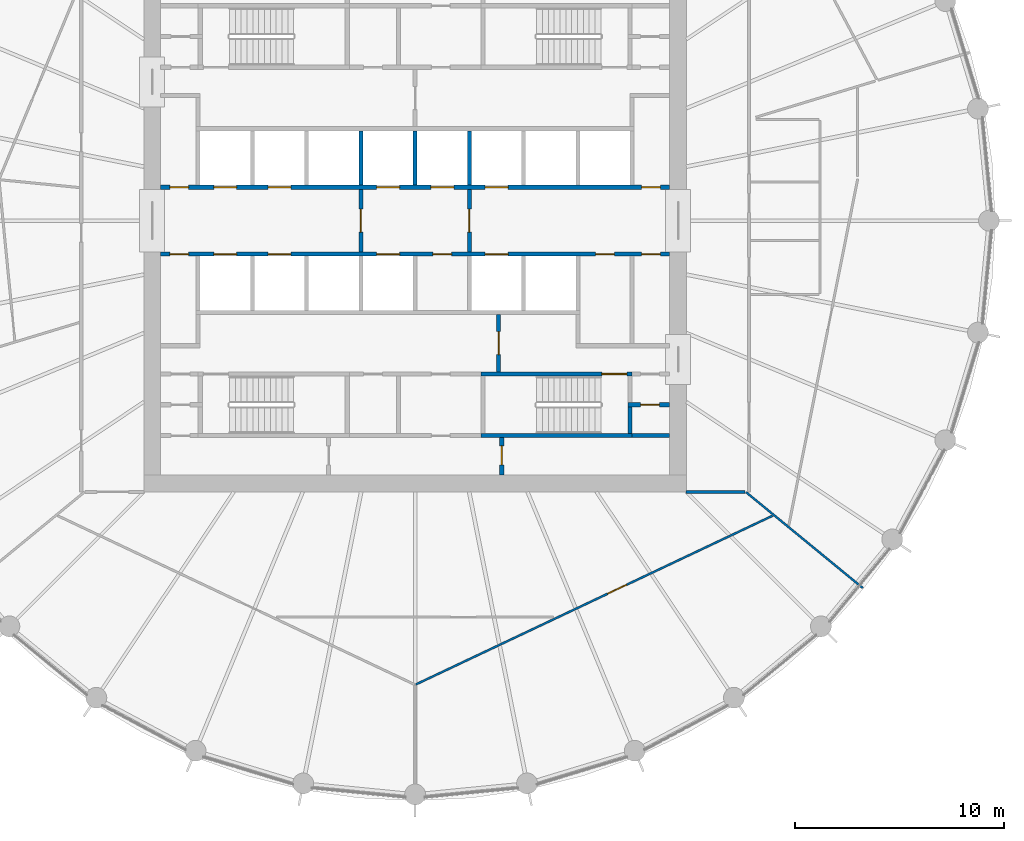
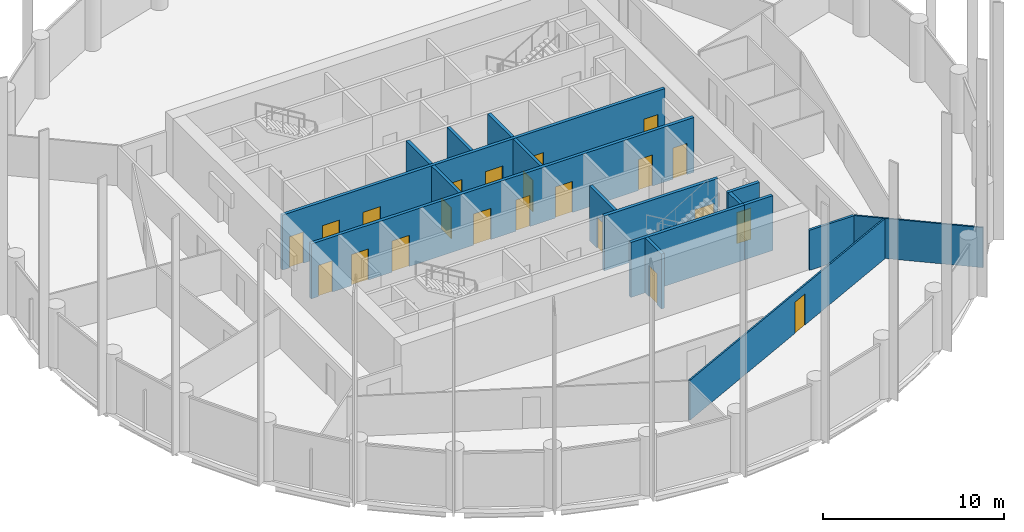
# One storey, part 5 of 9: 22 doors, 17 walls, 22 openings.
"""IFC4 building model written with IfcOpenShell, lengths in metres."""

from ifc_helpers import new_model, si_unit, direction, frame, frame_2d, origin, place, context, subcontext, project, spatial, polyline, rectangle, outline, extrude, material, layer, layer_set, type_object, element, fill, save


model = new_model("IFC4")

# Units and contexts
model_context = context("Model", 3, precision=1e-05, world=origin(), true_north=direction((0.0, 1.0)))
body_context = subcontext(model_context, "Body", "Model", "MODEL_VIEW")
ifc_project = project(units=[si_unit("LENGTHUNIT", "METRE"), si_unit("AREAUNIT", "SQUARE_METRE"), si_unit("VOLUMEUNIT", "CUBIC_METRE"), si_unit("PLANEANGLEUNIT", "RADIAN"), si_unit("MASSUNIT", "GRAM", prefix="KILO")], contexts=[model_context])

# Site, building, storey
site_placement = place(None, origin())
site = spatial("IfcSite", under=ifc_project, at=site_placement, CompositionType="ELEMENT")
building_placement = place(site_placement, origin())
building = spatial("IfcBuilding", under=site, at=building_placement, Name="Corvane Civic Tower", CompositionType="ELEMENT")
storey_placement = place(building_placement, frame((0.0, 0.0, 217.5)))
storey = spatial("IfcBuildingStorey", under=building, at=storey_placement, Name="L51", CompositionType="ELEMENT", Elevation=217.5)

# Wall, opening, door
ifc_material_1 = material(Name="Concrete C30/37", Category="concrete")
ifc_layer_1 = layer(ifc_material_1, 0.199951171875)
ifc_layer_set_1 = layer_set([ifc_layer_1], Name="Concrete C30/37")
wall_type_1 = type_object("IfcWallType", Name="CR-WALL-200", PredefinedType="PARTITIONING", material=ifc_layer_set_1)
wall_1_placement = place(storey_placement, frame((10.199951171875, -8.824951171875, 0.0), z_axis=(0.0, 0.0, 1.0), x_axis=(1.0, 0.0, 0.0)))
wall_1 = element("IfcWall", 1, at=wall_1_placement, inside=storey, type_object=wall_type_1, Name="L51 partition wall", PredefinedType="PARTITIONING", context=body_context, shape_type="SweptSolid", body=[
    extrude(rectangle(XDim=2.0, YDim=0.199951171875, at=frame_2d((1.0, 0.0))), origin(), (0.0, 0.0, 1.0), 3.699951171875),
])
opening_1_placement = place(wall_1_placement, frame((0.60009765625, 0.0, 0.0)))
opening_1 = element("IfcOpeningElement", 2, at=opening_1_placement, cuts=wall_1, Name="Opening L51.C25", PredefinedType="OPENING", context=body_context, shape_type="SweptSolid", body=[
    extrude(rectangle(XDim=0.89990234375, YDim=2.10009765625, at=frame_2d((0.449951171875, 1.050048828125))), frame((0.0, 0.10986328125, 0.0), z_axis=(0.0, -1.0, 0.0), x_axis=(1.0, 0.0, 0.0)), (0.0, 0.0, 1.0), 0.219970703125),
])
ifc_material_2 = material(Name="Steel fire door leaf", Category="steel")
door_type_1 = type_object("IfcDoorType", Name="CR-DOOR-900", OperationType="SINGLE_SWING_LEFT", PredefinedType="DOOR", material=ifc_material_2)
door_1_placement = place(opening_1_placement, origin())
door_1 = element("IfcDoor", 3, at=door_1_placement, inside=storey, type_object=door_type_1, Name="L51 door", OperationType="SINGLE_SWING_LEFT", OverallHeight=2.10009765625, OverallWidth=0.89990234375, PredefinedType="DOOR", context=body_context, shape_type="SweptSolid", body=[
    extrude(rectangle(XDim=0.89990234375, YDim=2.10009765625, at=frame_2d((0.449951171875, 1.050048828125))), frame((0.0, 0.02490234375, 0.0), z_axis=(0.0, -1.0, 0.0), x_axis=(1.0, 0.0, 0.0)), (0.0, 0.0, 1.0), 0.050048828125),
])
fill(opening_1, door_1)

# Wall, openings, doors
wall_2_placement = place(storey_placement, frame((-12.199951171875, -1.60009765625, 0.0), z_axis=(0.0, 0.0, 1.0), x_axis=(1.0, 0.0, 0.0)))
wall_2 = element("IfcWall", 4, at=wall_2_placement, inside=storey, type_object=wall_type_1, Name="L51 lift shaft wall", PredefinedType="PARTITIONING", context=body_context, shape_type="SweptSolid", body=[
    extrude(rectangle(XDim=24.39990234375, YDim=0.199951171875, at=frame_2d((12.199951171875, 0.0))), origin(), (0.0, 0.0, 1.0), 3.699951171875),
])
opening_2_placement = place(wall_2_placement, frame((2.550048828125, 0.0, 0.0)))
opening_2 = element("IfcOpeningElement", 5, at=opening_2_placement, cuts=wall_2, Name="Opening LD", PredefinedType="OPENING", context=body_context, shape_type="SweptSolid", body=[
    extrude(rectangle(XDim=1.10009765625, YDim=2.10009765625, at=frame_2d((0.550048828125, 1.050048828125))), frame((0.0, 0.10986328125, 0.0), z_axis=(0.0, -1.0, 0.0), x_axis=(1.0, 0.0, 0.0)), (0.0, 0.0, 1.0), 0.219970703125),
])
opening_3_placement = place(wall_2_placement, frame((5.14990234375, 0.0, 0.0)))
opening_3 = element("IfcOpeningElement", 6, at=opening_3_placement, cuts=wall_2, Name="Opening LD", PredefinedType="OPENING", context=body_context, shape_type="SweptSolid", body=[
    extrude(rectangle(XDim=1.10009765625, YDim=2.10009765625, at=frame_2d((0.550048828125, 1.050048828125))), frame((0.0, 0.10986328125, 0.0), z_axis=(0.0, -1.0, 0.0), x_axis=(1.0, 0.0, 0.0)), (0.0, 0.0, 1.0), 0.219970703125),
])
opening_4_placement = place(wall_2_placement, frame((10.35009765625, 0.0, 0.0)))
opening_4 = element("IfcOpeningElement", 7, at=opening_4_placement, cuts=wall_2, Name="Opening LD", PredefinedType="OPENING", context=body_context, shape_type="SweptSolid", body=[
    extrude(rectangle(XDim=1.10009765625, YDim=2.10009765625, at=frame_2d((0.550048828125, 1.050048828125))), frame((0.0, 0.10986328125, 0.0), z_axis=(0.0, -1.0, 0.0), x_axis=(1.0, 0.0, 0.0)), (0.0, 0.0, 1.0), 0.219970703125),
])
opening_5_placement = place(wall_2_placement, frame((13.050048828125, 0.0, 0.0)))
opening_5 = element("IfcOpeningElement", 8, at=opening_5_placement, cuts=wall_2, Name="Opening L51.C03", PredefinedType="OPENING", context=body_context, shape_type="SweptSolid", body=[
    extrude(rectangle(XDim=0.89990234375, YDim=2.10009765625, at=frame_2d((0.449951171875, 1.050048828125))), frame((0.0, 0.10986328125, 0.0), z_axis=(0.0, -1.0, 0.0), x_axis=(1.0, 0.0, 0.0)), (0.0, 0.0, 1.0), 0.219970703125),
])
opening_6_placement = place(wall_2_placement, frame((15.550048828125, 0.0, 0.0)))
opening_6 = element("IfcOpeningElement", 9, at=opening_6_placement, cuts=wall_2, Name="Opening LD", PredefinedType="OPENING", context=body_context, shape_type="SweptSolid", body=[
    extrude(rectangle(XDim=1.10009765625, YDim=2.10009765625, at=frame_2d((0.550048828125, 1.050048828125))), frame((0.0, 0.10986328125, 0.0), z_axis=(0.0, -1.0, 0.0), x_axis=(1.0, 0.0, 0.0)), (0.0, 0.0, 1.0), 0.219970703125),
])
opening_7_placement = place(wall_2_placement, frame((0.449951171875, 0.0, 0.0)))
opening_7 = element("IfcOpeningElement", 10, at=opening_7_placement, cuts=wall_2, Name="Opening L51.C04", PredefinedType="OPENING", context=body_context, shape_type="SweptSolid", body=[
    extrude(rectangle(XDim=0.89990234375, YDim=2.10009765625, at=frame_2d((0.449951171875, 1.050048828125))), frame((0.0, 0.10986328125, 0.0), z_axis=(0.0, -1.0, 0.0), x_axis=(1.0, 0.0, 0.0)), (0.0, 0.0, 1.0), 0.219970703125),
])
opening_8_placement = place(wall_2_placement, frame((20.85009765625, 0.0, 0.0)))
opening_8 = element("IfcOpeningElement", 11, at=opening_8_placement, cuts=wall_2, Name="Opening L51.C05", PredefinedType="OPENING", context=body_context, shape_type="SweptSolid", body=[
    extrude(rectangle(XDim=0.89990234375, YDim=2.10009765625, at=frame_2d((0.449951171875, 1.050048828125))), frame((0.0, 0.10986328125, 0.0), z_axis=(0.0, -1.0, 0.0), x_axis=(1.0, 0.0, 0.0)), (0.0, 0.0, 1.0), 0.219970703125),
])
opening_9_placement = place(wall_2_placement, frame((23.050048828125, 0.0, 0.0)))
opening_9 = element("IfcOpeningElement", 12, at=opening_9_placement, cuts=wall_2, Name="Opening L51.C06", PredefinedType="OPENING", context=body_context, shape_type="SweptSolid", body=[
    extrude(rectangle(XDim=0.89990234375, YDim=2.10009765625, at=frame_2d((0.449951171875, 1.050048828125))), frame((0.0, 0.10986328125, 0.0), z_axis=(0.0, -1.0, 0.0), x_axis=(1.0, 0.0, 0.0)), (0.0, 0.0, 1.0), 0.219970703125),
])
door_2_placement = place(opening_5_placement, origin())
door_2 = element("IfcDoor", 13, at=door_2_placement, inside=storey, type_object=door_type_1, Name="L51 door", OperationType="SINGLE_SWING_LEFT", OverallHeight=2.10009765625, OverallWidth=0.89990234375, PredefinedType="DOOR", context=body_context, shape_type="SweptSolid", body=[
    extrude(rectangle(XDim=0.89990234375, YDim=2.10009765625, at=frame_2d((0.449951171875, 1.050048828125))), frame((0.0, 0.02490234375, 0.0), z_axis=(0.0, -1.0, 0.0), x_axis=(1.0, 0.0, 0.0)), (0.0, 0.0, 1.0), 0.050048828125),
])
fill(opening_5, door_2)
door_3_placement = place(opening_7_placement, origin())
door_3 = element("IfcDoor", 14, at=door_3_placement, inside=storey, type_object=door_type_1, Name="L51 door", OperationType="SINGLE_SWING_LEFT", OverallHeight=2.10009765625, OverallWidth=0.89990234375, PredefinedType="DOOR", context=body_context, shape_type="SweptSolid", body=[
    extrude(rectangle(XDim=0.89990234375, YDim=2.10009765625, at=frame_2d((0.449951171875, 1.050048828125))), frame((0.0, 0.02490234375, 0.0), z_axis=(0.0, -1.0, 0.0), x_axis=(1.0, 0.0, 0.0)), (0.0, 0.0, 1.0), 0.050048828125),
])
fill(opening_7, door_3)
door_4_placement = place(opening_8_placement, origin())
door_4 = element("IfcDoor", 15, at=door_4_placement, inside=storey, type_object=door_type_1, Name="L51 door", OperationType="SINGLE_SWING_LEFT", OverallHeight=2.10009765625, OverallWidth=0.89990234375, PredefinedType="DOOR", context=body_context, shape_type="SweptSolid", body=[
    extrude(rectangle(XDim=0.89990234375, YDim=2.10009765625, at=frame_2d((0.449951171875, 1.050048828125))), frame((0.0, 0.02490234375, 0.0), z_axis=(0.0, -1.0, 0.0), x_axis=(1.0, 0.0, 0.0)), (0.0, 0.0, 1.0), 0.050048828125),
])
fill(opening_8, door_4)
door_5_placement = place(opening_9_placement, origin())
door_5 = element("IfcDoor", 16, at=door_5_placement, inside=storey, type_object=door_type_1, Name="L51 door", OperationType="SINGLE_SWING_LEFT", OverallHeight=2.10009765625, OverallWidth=0.89990234375, PredefinedType="DOOR", context=body_context, shape_type="SweptSolid", body=[
    extrude(rectangle(XDim=0.89990234375, YDim=2.10009765625, at=frame_2d((0.449951171875, 1.050048828125))), frame((0.0, 0.02490234375, 0.0), z_axis=(0.0, -1.0, 0.0), x_axis=(1.0, 0.0, 0.0)), (0.0, 0.0, 1.0), 0.050048828125),
])
fill(opening_9, door_5)
ifc_material_3 = material(Name="Stainless steel 316 door leaves", Category="steel")
door_type_2 = type_object("IfcDoorType", Name="LD", OperationType="DOUBLE_DOOR_SLIDING", PredefinedType="DOOR", material=ifc_material_3)
door_6_placement = place(opening_2_placement, origin())
door_6 = element("IfcDoor", 17, at=door_6_placement, inside=storey, type_object=door_type_2, Name="L51 landing door", OperationType="DOUBLE_DOOR_SLIDING", OverallHeight=2.10009765625, OverallWidth=1.10009765625, PredefinedType="DOOR", context=body_context, shape_type="SweptSolid", body=[
    extrude(rectangle(XDim=1.10009765625, YDim=2.10009765625, at=frame_2d((0.550048828125, 1.050048828125))), frame((0.0, 0.02490234375, 0.0), z_axis=(0.0, -1.0, 0.0), x_axis=(1.0, 0.0, 0.0)), (0.0, 0.0, 1.0), 0.050048828125),
])
fill(opening_2, door_6)
door_7_placement = place(opening_3_placement, origin())
door_7 = element("IfcDoor", 18, at=door_7_placement, inside=storey, type_object=door_type_2, Name="L51 landing door", OperationType="DOUBLE_DOOR_SLIDING", OverallHeight=2.10009765625, OverallWidth=1.10009765625, PredefinedType="DOOR", context=body_context, shape_type="SweptSolid", body=[
    extrude(rectangle(XDim=1.10009765625, YDim=2.10009765625, at=frame_2d((0.550048828125, 1.050048828125))), frame((0.0, 0.02490234375, 0.0), z_axis=(0.0, -1.0, 0.0), x_axis=(1.0, 0.0, 0.0)), (0.0, 0.0, 1.0), 0.050048828125),
])
fill(opening_3, door_7)
door_8_placement = place(opening_4_placement, origin())
door_8 = element("IfcDoor", 19, at=door_8_placement, inside=storey, type_object=door_type_2, Name="L51 landing door", OperationType="DOUBLE_DOOR_SLIDING", OverallHeight=2.10009765625, OverallWidth=1.10009765625, PredefinedType="DOOR", context=body_context, shape_type="SweptSolid", body=[
    extrude(rectangle(XDim=1.10009765625, YDim=2.10009765625, at=frame_2d((0.550048828125, 1.050048828125))), frame((0.0, 0.02490234375, 0.0), z_axis=(0.0, -1.0, 0.0), x_axis=(1.0, 0.0, 0.0)), (0.0, 0.0, 1.0), 0.050048828125),
])
fill(opening_4, door_8)
door_9_placement = place(opening_6_placement, origin())
door_9 = element("IfcDoor", 20, at=door_9_placement, inside=storey, type_object=door_type_2, Name="L51 landing door", OperationType="DOUBLE_DOOR_SLIDING", OverallHeight=2.10009765625, OverallWidth=1.10009765625, PredefinedType="DOOR", context=body_context, shape_type="SweptSolid", body=[
    extrude(rectangle(XDim=1.10009765625, YDim=2.10009765625, at=frame_2d((0.550048828125, 1.050048828125))), frame((0.0, 0.02490234375, 0.0), z_axis=(0.0, -1.0, 0.0), x_axis=(1.0, 0.0, 0.0)), (0.0, 0.0, 1.0), 0.050048828125),
])
fill(opening_6, door_9)

wall_3_placement = place(storey_placement, frame((-12.199951171875, 1.60009765625, 0.0), z_axis=(0.0, 0.0, 1.0), x_axis=(1.0, 0.0, 0.0)))
wall_3 = element("IfcWall", 21, at=wall_3_placement, inside=storey, type_object=wall_type_1, Name="L51 lift shaft wall", PredefinedType="PARTITIONING", context=body_context, shape_type="SweptSolid", body=[
    extrude(rectangle(XDim=24.39990234375, YDim=0.199951171875, at=frame_2d((12.199951171875, 0.0))), origin(), (0.0, 0.0, 1.0), 3.699951171875),
])
opening_10_placement = place(wall_3_placement, frame((2.550048828125, 0.0, 0.0)))
opening_10 = element("IfcOpeningElement", 22, at=opening_10_placement, cuts=wall_3, Name="Opening LD", PredefinedType="OPENING", context=body_context, shape_type="SweptSolid", body=[
    extrude(rectangle(XDim=1.10009765625, YDim=2.10009765625, at=frame_2d((0.550048828125, 1.050048828125))), frame((0.0, 0.10986328125, 0.0), z_axis=(0.0, -1.0, 0.0), x_axis=(1.0, 0.0, 0.0)), (0.0, 0.0, 1.0), 0.219970703125),
])
opening_11_placement = place(wall_3_placement, frame((5.14990234375, 0.0, 0.0)))
opening_11 = element("IfcOpeningElement", 23, at=opening_11_placement, cuts=wall_3, Name="Opening LD", PredefinedType="OPENING", context=body_context, shape_type="SweptSolid", body=[
    extrude(rectangle(XDim=1.10009765625, YDim=2.10009765625, at=frame_2d((0.550048828125, 1.050048828125))), frame((0.0, 0.10986328125, 0.0), z_axis=(0.0, -1.0, 0.0), x_axis=(1.0, 0.0, 0.0)), (0.0, 0.0, 1.0), 0.219970703125),
])
opening_12_placement = place(wall_3_placement, frame((10.35009765625, 0.0, 0.0)))
opening_12 = element("IfcOpeningElement", 24, at=opening_12_placement, cuts=wall_3, Name="Opening LD", PredefinedType="OPENING", context=body_context, shape_type="SweptSolid", body=[
    extrude(rectangle(XDim=1.10009765625, YDim=2.10009765625, at=frame_2d((0.550048828125, 1.050048828125))), frame((0.0, 0.10986328125, 0.0), z_axis=(0.0, -1.0, 0.0), x_axis=(1.0, 0.0, 0.0)), (0.0, 0.0, 1.0), 0.219970703125),
])
opening_13_placement = place(wall_3_placement, frame((12.949951171875, 0.0, 0.0)))
opening_13 = element("IfcOpeningElement", 25, at=opening_13_placement, cuts=wall_3, Name="Opening LD", PredefinedType="OPENING", context=body_context, shape_type="SweptSolid", body=[
    extrude(rectangle(XDim=1.10009765625, YDim=2.10009765625, at=frame_2d((0.550048828125, 1.050048828125))), frame((0.0, 0.10986328125, 0.0), z_axis=(0.0, -1.0, 0.0), x_axis=(1.0, 0.0, 0.0)), (0.0, 0.0, 1.0), 0.219970703125),
])
opening_14_placement = place(wall_3_placement, frame((15.550048828125, 0.0, 0.0)))
opening_14 = element("IfcOpeningElement", 26, at=opening_14_placement, cuts=wall_3, Name="Opening LD", PredefinedType="OPENING", context=body_context, shape_type="SweptSolid", body=[
    extrude(rectangle(XDim=1.10009765625, YDim=2.10009765625, at=frame_2d((0.550048828125, 1.050048828125))), frame((0.0, 0.10986328125, 0.0), z_axis=(0.0, -1.0, 0.0), x_axis=(1.0, 0.0, 0.0)), (0.0, 0.0, 1.0), 0.219970703125),
])
opening_15_placement = place(wall_3_placement, frame((0.449951171875, 0.0, 0.0)))
opening_15 = element("IfcOpeningElement", 27, at=opening_15_placement, cuts=wall_3, Name="Opening L51.C01", PredefinedType="OPENING", context=body_context, shape_type="SweptSolid", body=[
    extrude(rectangle(XDim=0.89990234375, YDim=2.10009765625, at=frame_2d((0.449951171875, 1.050048828125))), frame((0.0, 0.10986328125, 0.0), z_axis=(0.0, -1.0, 0.0), x_axis=(1.0, 0.0, 0.0)), (0.0, 0.0, 1.0), 0.219970703125),
])
opening_16_placement = place(wall_3_placement, frame((23.050048828125, 0.0, 0.0)))
opening_16 = element("IfcOpeningElement", 28, at=opening_16_placement, cuts=wall_3, Name="Opening L51.C02", PredefinedType="OPENING", context=body_context, shape_type="SweptSolid", body=[
    extrude(rectangle(XDim=0.89990234375, YDim=2.10009765625, at=frame_2d((0.449951171875, 1.050048828125))), frame((0.0, 0.10986328125, 0.0), z_axis=(0.0, -1.0, 0.0), x_axis=(1.0, 0.0, 0.0)), (0.0, 0.0, 1.0), 0.219970703125),
])
door_10_placement = place(opening_15_placement, origin())
door_10 = element("IfcDoor", 29, at=door_10_placement, inside=storey, type_object=door_type_1, Name="L51 door", OperationType="SINGLE_SWING_LEFT", OverallHeight=2.10009765625, OverallWidth=0.89990234375, PredefinedType="DOOR", context=body_context, shape_type="SweptSolid", body=[
    extrude(rectangle(XDim=0.89990234375, YDim=2.10009765625, at=frame_2d((0.449951171875, 1.050048828125))), frame((0.0, 0.02490234375, 0.0), z_axis=(0.0, -1.0, 0.0), x_axis=(1.0, 0.0, 0.0)), (0.0, 0.0, 1.0), 0.050048828125),
])
fill(opening_15, door_10)
door_11_placement = place(opening_16_placement, origin())
door_11 = element("IfcDoor", 30, at=door_11_placement, inside=storey, type_object=door_type_1, Name="L51 door", OperationType="SINGLE_SWING_LEFT", OverallHeight=2.10009765625, OverallWidth=0.89990234375, PredefinedType="DOOR", context=body_context, shape_type="SweptSolid", body=[
    extrude(rectangle(XDim=0.89990234375, YDim=2.10009765625, at=frame_2d((0.449951171875, 1.050048828125))), frame((0.0, 0.02490234375, 0.0), z_axis=(0.0, -1.0, 0.0), x_axis=(1.0, 0.0, 0.0)), (0.0, 0.0, 1.0), 0.050048828125),
])
fill(opening_16, door_11)
door_12_placement = place(opening_10_placement, origin())
door_12 = element("IfcDoor", 31, at=door_12_placement, inside=storey, type_object=door_type_2, Name="L51 landing door", OperationType="DOUBLE_DOOR_SLIDING", OverallHeight=2.10009765625, OverallWidth=1.10009765625, PredefinedType="DOOR", context=body_context, shape_type="SweptSolid", body=[
    extrude(rectangle(XDim=1.10009765625, YDim=2.10009765625, at=frame_2d((0.550048828125, 1.050048828125))), frame((0.0, 0.02490234375, 0.0), z_axis=(0.0, -1.0, 0.0), x_axis=(1.0, 0.0, 0.0)), (0.0, 0.0, 1.0), 0.050048828125),
])
fill(opening_10, door_12)
door_13_placement = place(opening_11_placement, origin())
door_13 = element("IfcDoor", 32, at=door_13_placement, inside=storey, type_object=door_type_2, Name="L51 landing door", OperationType="DOUBLE_DOOR_SLIDING", OverallHeight=2.10009765625, OverallWidth=1.10009765625, PredefinedType="DOOR", context=body_context, shape_type="SweptSolid", body=[
    extrude(rectangle(XDim=1.10009765625, YDim=2.10009765625, at=frame_2d((0.550048828125, 1.050048828125))), frame((0.0, 0.02490234375, 0.0), z_axis=(0.0, -1.0, 0.0), x_axis=(1.0, 0.0, 0.0)), (0.0, 0.0, 1.0), 0.050048828125),
])
fill(opening_11, door_13)
door_14_placement = place(opening_12_placement, origin())
door_14 = element("IfcDoor", 33, at=door_14_placement, inside=storey, type_object=door_type_2, Name="L51 landing door", OperationType="DOUBLE_DOOR_SLIDING", OverallHeight=2.10009765625, OverallWidth=1.10009765625, PredefinedType="DOOR", context=body_context, shape_type="SweptSolid", body=[
    extrude(rectangle(XDim=1.10009765625, YDim=2.10009765625, at=frame_2d((0.550048828125, 1.050048828125))), frame((0.0, 0.02490234375, 0.0), z_axis=(0.0, -1.0, 0.0), x_axis=(1.0, 0.0, 0.0)), (0.0, 0.0, 1.0), 0.050048828125),
])
fill(opening_12, door_14)
door_15_placement = place(opening_13_placement, origin())
door_15 = element("IfcDoor", 34, at=door_15_placement, inside=storey, type_object=door_type_2, Name="L51 landing door", OperationType="DOUBLE_DOOR_SLIDING", OverallHeight=2.10009765625, OverallWidth=1.10009765625, PredefinedType="DOOR", context=body_context, shape_type="SweptSolid", body=[
    extrude(rectangle(XDim=1.10009765625, YDim=2.10009765625, at=frame_2d((0.550048828125, 1.050048828125))), frame((0.0, 0.02490234375, 0.0), z_axis=(0.0, -1.0, 0.0), x_axis=(1.0, 0.0, 0.0)), (0.0, 0.0, 1.0), 0.050048828125),
])
fill(opening_13, door_15)
door_16_placement = place(opening_14_placement, origin())
door_16 = element("IfcDoor", 35, at=door_16_placement, inside=storey, type_object=door_type_2, Name="L51 landing door", OperationType="DOUBLE_DOOR_SLIDING", OverallHeight=2.10009765625, OverallWidth=1.10009765625, PredefinedType="DOOR", context=body_context, shape_type="SweptSolid", body=[
    extrude(rectangle(XDim=1.10009765625, YDim=2.10009765625, at=frame_2d((0.550048828125, 1.050048828125))), frame((0.0, 0.02490234375, 0.0), z_axis=(0.0, -1.0, 0.0), x_axis=(1.0, 0.0, 0.0)), (0.0, 0.0, 1.0), 0.050048828125),
])
fill(opening_14, door_16)

# Wall, opening, door
wall_4_placement = place(storey_placement, frame((-2.60009765625, -1.5, 0.0), z_axis=(0.0, 0.0, 1.0), x_axis=(0.0, 1.0, 0.0)))
wall_4 = element("IfcWall", 36, at=wall_4_placement, inside=storey, type_object=wall_type_1, Name="L51 firefighting lobby wall", PredefinedType="PARTITIONING", context=body_context, shape_type="SweptSolid", body=[
    extrude(rectangle(XDim=3.0, YDim=0.199951171875, at=frame_2d((1.5, 0.0))), origin(), (0.0, 0.0, 1.0), 3.699951171875),
])
opening_17_placement = place(wall_4_placement, frame((0.949951171875, 0.0, 0.0)))
opening_17 = element("IfcOpeningElement", 37, at=opening_17_placement, cuts=wall_4, Name="Opening L51.C30", PredefinedType="OPENING", context=body_context, shape_type="SweptSolid", body=[
    extrude(rectangle(XDim=1.10009765625, YDim=2.10009765625, at=frame_2d((0.550048828125, 1.050048828125))), frame((0.0, 0.10986328125, 0.0), z_axis=(0.0, -1.0, 0.0), x_axis=(1.0, 0.0, 0.0)), (0.0, 0.0, 1.0), 0.219970703125),
])
ifc_material_4 = material(Name="Steel fire door leaf", Category="steel")
door_type_3 = type_object("IfcDoorType", Name="CR-DOOR-FFL-1100", OperationType="SINGLE_SWING_LEFT", PredefinedType="DOOR", material=ifc_material_4)
door_17_placement = place(opening_17_placement, origin())
door_17 = element("IfcDoor", 38, at=door_17_placement, inside=storey, type_object=door_type_3, Name="L51 lobby door", OperationType="SINGLE_SWING_LEFT", OverallHeight=2.10009765625, OverallWidth=1.10009765625, PredefinedType="DOOR", context=body_context, shape_type="SweptSolid", body=[
    extrude(rectangle(XDim=1.10009765625, YDim=2.10009765625, at=frame_2d((0.550048828125, 1.050048828125))), frame((0.0, 0.02490234375, 0.0), z_axis=(0.0, -1.0, 0.0), x_axis=(1.0, 0.0, 0.0)), (0.0, 0.0, 1.0), 0.050048828125),
])
fill(opening_17, door_17)

wall_5_placement = place(storey_placement, frame((2.60009765625, -1.5, 0.0), z_axis=(0.0, 0.0, 1.0), x_axis=(0.0, 1.0, 0.0)))
wall_5 = element("IfcWall", 39, at=wall_5_placement, inside=storey, type_object=wall_type_1, Name="L51 firefighting lobby wall", PredefinedType="PARTITIONING", context=body_context, shape_type="SweptSolid", body=[
    extrude(rectangle(XDim=3.0, YDim=0.199951171875, at=frame_2d((1.5, 0.0))), origin(), (0.0, 0.0, 1.0), 3.699951171875),
])
opening_18_placement = place(wall_5_placement, frame((0.949951171875, 0.0, 0.0)))
opening_18 = element("IfcOpeningElement", 40, at=opening_18_placement, cuts=wall_5, Name="Opening L51.C31", PredefinedType="OPENING", context=body_context, shape_type="SweptSolid", body=[
    extrude(rectangle(XDim=1.10009765625, YDim=2.10009765625, at=frame_2d((0.550048828125, 1.050048828125))), frame((0.0, 0.10986328125, 0.0), z_axis=(0.0, -1.0, 0.0), x_axis=(1.0, 0.0, 0.0)), (0.0, 0.0, 1.0), 0.219970703125),
])
door_18_placement = place(opening_18_placement, origin())
door_18 = element("IfcDoor", 41, at=door_18_placement, inside=storey, type_object=door_type_3, Name="L51 lobby door", OperationType="SINGLE_SWING_LEFT", OverallHeight=2.10009765625, OverallWidth=1.10009765625, PredefinedType="DOOR", context=body_context, shape_type="SweptSolid", body=[
    extrude(rectangle(XDim=1.10009765625, YDim=2.10009765625, at=frame_2d((0.550048828125, 1.050048828125))), frame((0.0, 0.02490234375, 0.0), z_axis=(0.0, -1.0, 0.0), x_axis=(1.0, 0.0, 0.0)), (0.0, 0.0, 1.0), 0.050048828125),
])
fill(opening_18, door_18)

wall_6_placement = place(storey_placement, frame((4.0, -7.25, 0.0), z_axis=(0.0, 0.0, 1.0), x_axis=(0.0, 1.0, 0.0)))
wall_6 = element("IfcWall", 42, at=wall_6_placement, inside=storey, type_object=wall_type_1, Name="L51 core partition wall", PredefinedType="PARTITIONING", context=body_context, shape_type="SweptSolid", body=[
    extrude(rectangle(XDim=2.75, YDim=0.199951171875, at=frame_2d((1.375, 0.0))), origin(), (0.0, 0.0, 1.0), 3.699951171875),
])
opening_19_placement = place(wall_6_placement, frame((0.824951171875, 0.0, 0.0)))
opening_19 = element("IfcOpeningElement", 43, at=opening_19_placement, cuts=wall_6, Name="Opening L51.C33", PredefinedType="OPENING", context=body_context, shape_type="SweptSolid", body=[
    extrude(rectangle(XDim=1.10009765625, YDim=2.10009765625, at=frame_2d((0.550048828125, 1.050048828125))), frame((0.0, 0.10986328125, 0.0), z_axis=(0.0, -1.0, 0.0), x_axis=(1.0, 0.0, 0.0)), (0.0, 0.0, 1.0), 0.219970703125),
])
door_19_placement = place(opening_19_placement, origin())
door_19 = element("IfcDoor", 44, at=door_19_placement, inside=storey, type_object=door_type_3, Name="L51 lobby door", OperationType="SINGLE_SWING_LEFT", OverallHeight=2.10009765625, OverallWidth=1.10009765625, PredefinedType="DOOR", context=body_context, shape_type="SweptSolid", body=[
    extrude(rectangle(XDim=1.10009765625, YDim=2.10009765625, at=frame_2d((0.550048828125, 1.050048828125))), frame((0.0, 0.02490234375, 0.0), z_axis=(0.0, -1.0, 0.0), x_axis=(1.0, 0.0, 0.0)), (0.0, 0.0, 1.0), 0.050048828125),
])
fill(opening_19, door_19)

wall_7_placement = place(storey_placement, frame((4.14990234375, -12.199951171875, 0.0), z_axis=(0.0, 0.0, 1.0), x_axis=(0.0, 1.0, 0.0)))
wall_7 = element("IfcWall", 45, at=wall_7_placement, inside=storey, type_object=wall_type_1, Name="L51 partition wall", PredefinedType="PARTITIONING", context=body_context, shape_type="SweptSolid", body=[
    extrude(rectangle(XDim=1.800048828125, YDim=0.199951171875, at=frame_2d((0.89990234375, 0.0))), origin(), (0.0, 0.0, 1.0), 3.699951171875),
])
opening_20_placement = place(wall_7_placement, frame((0.5, 0.0, 0.0)))
opening_20 = element("IfcOpeningElement", 46, at=opening_20_placement, cuts=wall_7, Name="Opening L51.C16", PredefinedType="OPENING", context=body_context, shape_type="SweptSolid", body=[
    extrude(rectangle(XDim=0.89990234375, YDim=2.10009765625, at=frame_2d((0.449951171875, 1.050048828125))), frame((0.0, 0.10986328125, 0.0), z_axis=(0.0, -1.0, 0.0), x_axis=(1.0, 0.0, 0.0)), (0.0, 0.0, 1.0), 0.219970703125),
])
door_20_placement = place(opening_20_placement, origin())
door_20 = element("IfcDoor", 47, at=door_20_placement, inside=storey, type_object=door_type_1, Name="L51 door", OperationType="SINGLE_SWING_LEFT", OverallHeight=2.10009765625, OverallWidth=0.89990234375, PredefinedType="DOOR", context=body_context, shape_type="SweptSolid", body=[
    extrude(rectangle(XDim=0.89990234375, YDim=2.10009765625, at=frame_2d((0.449951171875, 1.050048828125))), frame((0.0, 0.02490234375, 0.0), z_axis=(0.0, -1.0, 0.0), x_axis=(1.0, 0.0, 0.0)), (0.0, 0.0, 1.0), 0.050048828125),
])
fill(opening_20, door_20)

# Walls
wall_8_placement = place(storey_placement, origin())
element("IfcWall", 48, at=wall_8_placement, inside=storey, type_object=wall_type_1, Name="L51 core partition wall", PredefinedType="PARTITIONING", context=body_context, shape_type="SweptSolid", body=[
    extrude(outline(polyline([(-2.5, 1.699951171875), (-2.699951171875, 1.699951171875), (-2.699951171875, 4.2998046875), (-2.5, 4.2998046875), (-2.5, 1.699951171875)])), origin(), (0.0, 0.0, 1.0), 3.699951171875),
])
wall_9_placement = place(storey_placement, origin())
element("IfcWall", 49, at=wall_9_placement, inside=storey, type_object=wall_type_1, Name="L51 core partition wall", PredefinedType="PARTITIONING", context=body_context, shape_type="SweptSolid", body=[
    extrude(outline(polyline([(2.699951171875, 1.699951171875), (2.5, 1.699951171875), (2.5, 4.2998046875), (2.699951171875, 4.2998046875), (2.699951171875, 1.699951171875)])), origin(), (0.0, 0.0, 1.0), 3.699951171875),
])
wall_10_placement = place(storey_placement, origin())
element("IfcWall", 50, at=wall_10_placement, inside=storey, type_object=wall_type_1, Name="L51 core partition wall", PredefinedType="PARTITIONING", context=body_context, shape_type="SweptSolid", body=[
    extrude(outline(polyline([(0.10009765625, 1.699951171875), (-0.10009765625, 1.699951171875), (-0.10009765625, 4.2998046875), (0.10009765625, 4.2998046875), (0.10009765625, 1.699951171875)])), origin(), (0.0, 0.0, 1.0), 3.699951171875),
])
wall_11_placement = place(storey_placement, origin())
element("IfcWall", 51, at=wall_11_placement, inside=storey, type_object=wall_type_1, Name="L51 core partition wall", PredefinedType="PARTITIONING", context=body_context, shape_type="SweptSolid", body=[
    extrude(outline(polyline([(10.39990234375, -10.39990234375), (10.39990234375, -10.199951171875), (12.199951171875, -10.199951171875), (12.199951171875, -10.39990234375), (10.39990234375, -10.39990234375)])), origin(), (0.0, 0.0, 1.0), 3.699951171875),
])

# Wall, opening, door
ifc_material_5 = material(Name="Plasterboard")
ifc_layer_2 = layer(ifc_material_5, 0.10009765625)
ifc_layer_set_2 = layer_set([ifc_layer_2], Name="Plasterboard")
wall_type_2 = type_object("IfcWallType", Name="Partition 100 plasterboard on studs", PredefinedType="PARTITIONING", material=ifc_layer_set_2)
wall_12_placement = place(storey_placement, frame((0.028564453125, -22.22998046875, 0.0), z_axis=(0.0, 0.0, 1.0), x_axis=(0.903991891137, 0.42754960035, 0.0)))
wall_12 = element("IfcWall", 52, at=wall_12_placement, inside=storey, type_object=wall_type_2, Name="Partition L51.003", PredefinedType="PARTITIONING", context=body_context, shape_type="SweptSolid", body=[
    extrude(rectangle(XDim=18.909912109375, YDim=0.10009765625, at=frame_2d((9.455078125, 0.0))), origin(), (0.0, 0.0, 1.0), 2.699951171875),
])
opening_21_placement = place(wall_12_placement, frame((10.17578125, 0.0, 0.0)))
opening_21 = element("IfcOpeningElement", 53, at=opening_21_placement, cuts=wall_12, Name="Opening L51.002", PredefinedType="OPENING", context=body_context, shape_type="SweptSolid", body=[
    extrude(rectangle(XDim=1.0, YDim=2.10009765625, at=frame_2d((0.5, 1.050048828125))), frame((0.0, 0.06005859375, 0.0), z_axis=(0.0, -1.0, 0.0), x_axis=(1.0, 0.0, 0.0)), (0.0, 0.0, 1.0), 0.1201171875),
])
ifc_material_6 = material(Name="Timber", Category="wood")
door_type_4 = type_object("IfcDoorType", Name="Single door 1000", OperationType="NOTDEFINED", PredefinedType="DOOR", material=ifc_material_6)
door_21_placement = place(opening_21_placement, frame((1.0, 0.0, 0.0), z_axis=(0.0, 0.0, 1.0), x_axis=(-1.0, 0.0, 0.0)))
door_21 = element("IfcDoor", 54, at=door_21_placement, inside=storey, type_object=door_type_4, Name="Door L51.002", OperationType="SINGLE_SWING_LEFT", OverallHeight=2.10009765625, OverallWidth=1.0, PredefinedType="DOOR", context=body_context, shape_type="SweptSolid", body=[
    extrude(rectangle(XDim=1.0, YDim=2.10009765625, at=frame_2d((0.5, 1.050048828125))), frame((0.0, 0.02490234375, 0.0), z_axis=(0.0, -1.0, 0.0), x_axis=(1.0, 0.0, 0.0)), (0.0, 0.0, 1.0), 0.050048828125),
])
fill(opening_21, door_21)

# Wall
wall_13_placement = place(storey_placement, frame((15.8544921875, -13.01123046875, 0.0), z_axis=(0.0, 0.0, 1.0), x_axis=(0.772997895748, -0.634408585352, 0.0)))
element("IfcWall", 55, at=wall_13_placement, inside=storey, type_object=wall_type_2, Name="Partition L51.006", PredefinedType="PARTITIONING", context=body_context, shape_type="SweptSolid", body=[
    extrude(rectangle(XDim=7.240234375, YDim=0.10009765625, at=frame_2d((3.6201171875, 0.0))), origin(), (0.0, 0.0, 1.0), 2.699951171875),
])

# Wall, opening, door
ifc_material_7 = material(Name="Concrete C50/60", Category="concrete")
ifc_layer_3 = layer(ifc_material_7, 0.199951171875)
ifc_layer_set_3 = layer_set([ifc_layer_3], Name="Concrete C50/60")
wall_type_3 = type_object("IfcWallType", Name="ST-WALL-200", PredefinedType="SHEAR", material=ifc_layer_set_3)
wall_14_placement = place(storey_placement, frame((3.14990234375, -7.35009765625, 0.0), z_axis=(0.0, 0.0, 1.0), x_axis=(1.0, 0.0, 0.0)))
wall_14 = element("IfcWall", 56, at=wall_14_placement, inside=storey, type_object=wall_type_3, Name="L51 stair enclosure wall", PredefinedType="SHEAR", context=body_context, shape_type="SweptSolid", body=[
    extrude(rectangle(XDim=7.25, YDim=0.199951171875, at=frame_2d((3.625, 0.0))), origin(), (0.0, 0.0, 1.0), 3.699951171875),
])
opening_22_placement = place(wall_14_placement, frame((5.800048828125, 0.0, 0.0)))
opening_22 = element("IfcOpeningElement", 57, at=opening_22_placement, cuts=wall_14, Name="Opening L51.C28", PredefinedType="OPENING", context=body_context, shape_type="SweptSolid", body=[
    extrude(rectangle(XDim=1.199951171875, YDim=2.10009765625, at=frame_2d((0.60009765625, 1.050048828125))), frame((0.0, 0.10986328125, 0.0), z_axis=(0.0, -1.0, 0.0), x_axis=(1.0, 0.0, 0.0)), (0.0, 0.0, 1.0), 0.219970703125),
])
ifc_material_8 = material(Name="Steel fire door leaf", Category="steel")
door_type_5 = type_object("IfcDoorType", Name="ST-DOOR-1200", OperationType="SINGLE_SWING_RIGHT", PredefinedType="DOOR", material=ifc_material_8)
door_22_placement = place(opening_22_placement, origin())
door_22 = element("IfcDoor", 58, at=door_22_placement, inside=storey, type_object=door_type_5, Name="L51 stair door", OperationType="SINGLE_SWING_RIGHT", OverallHeight=2.10009765625, OverallWidth=1.199951171875, PredefinedType="DOOR", context=body_context, shape_type="SweptSolid", body=[
    extrude(rectangle(XDim=1.199951171875, YDim=2.10009765625, at=frame_2d((0.60009765625, 1.050048828125))), frame((0.0, 0.02490234375, 0.0), z_axis=(0.0, -1.0, 0.0), x_axis=(1.0, 0.0, 0.0)), (0.0, 0.0, 1.0), 0.050048828125),
])
fill(opening_22, door_22)

# Walls
wall_15_placement = place(storey_placement, origin())
element("IfcWall", 59, at=wall_15_placement, inside=storey, type_object=wall_type_3, Name="L51 stair enclosure wall", PredefinedType="SHEAR", context=body_context, shape_type="SweptSolid", body=[
    extrude(outline(polyline([(10.39990234375, -10.39990234375), (3.14990234375, -10.39990234375), (3.14990234375, -10.199951171875), (10.39990234375, -10.199951171875), (10.39990234375, -10.39990234375)])), origin(), (0.0, 0.0, 1.0), 3.699951171875),
])
wall_16_placement = place(storey_placement, origin())
element("IfcWall", 60, at=wall_16_placement, inside=storey, type_object=wall_type_3, Name="L51 stair enclosure wall", PredefinedType="SHEAR", context=body_context, shape_type="SweptSolid", body=[
    extrude(outline(polyline([(10.39990234375, -8.925048828125), (10.39990234375, -10.199951171875), (10.199951171875, -10.199951171875), (10.199951171875, -8.925048828125), (10.39990234375, -8.925048828125)])), origin(), (0.0, 0.0, 1.0), 3.699951171875),
])
ifc_material_9 = material(Name="Plasterboard")
ifc_layer_4 = layer(ifc_material_9, 0.14990234375)
ifc_layer_set_4 = layer_set([ifc_layer_4], Name="Plasterboard")
wall_type_4 = type_object("IfcWallType", Name="Tenancy wall 150 EI 60", PredefinedType="PARTITIONING", material=ifc_layer_set_4)
wall_17_placement = place(storey_placement, frame((12.989990234375, -13.0, 0.0), z_axis=(0.0, 0.0, 1.0), x_axis=(1.0, 0.0, 0.0)))
element("IfcWall", 61, at=wall_17_placement, inside=storey, type_object=wall_type_4, Name="Partition L51.010", PredefinedType="PARTITIONING", context=body_context, shape_type="SweptSolid", body=[
    extrude(rectangle(XDim=2.82373046875, YDim=0.14990234375, at=frame_2d((1.411865234375, 0.0))), origin(), (0.0, 0.0, 1.0), 2.699951171875),
])

save(model, "model.ifc")
